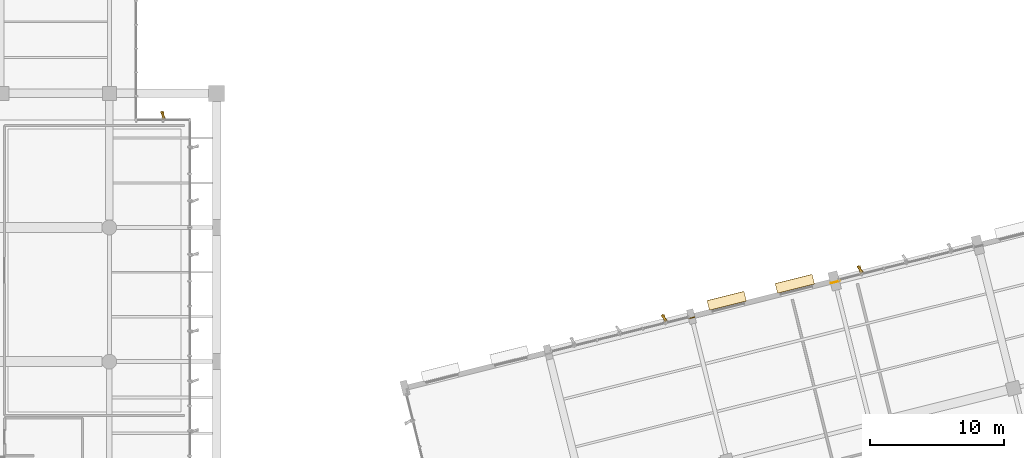
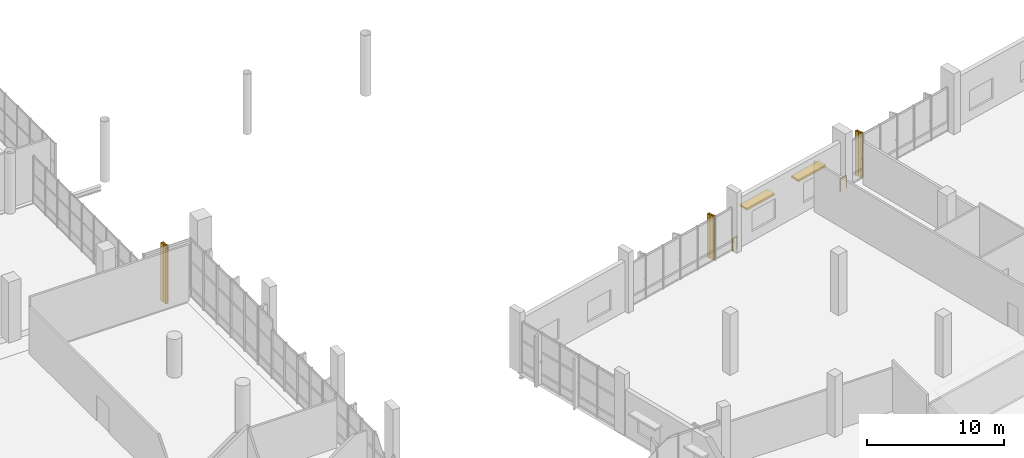
# One storey, part 172 of 176: 5 coverings, 5 shading devices, 2 railings.
"""IFC4 building model written with IfcOpenShell, lengths in metres."""

from ifc_helpers import new_model, si_unit, direction, frame, origin, origin_2d, place, context, subcontext, project, spatial, rectangle, extrude, material, layer, layer_set, type_object, element, save


model = new_model("IFC4")

# Units and contexts
model_context = context("Model", 3, precision=1e-05, world=origin(), true_north=direction((0.0, 1.0)))
body_context = subcontext(model_context, "Body", "Model", "MODEL_VIEW")
ifc_project = project(units=[si_unit("LENGTHUNIT", "METRE"), si_unit("AREAUNIT", "SQUARE_METRE"), si_unit("VOLUMEUNIT", "CUBIC_METRE"), si_unit("PLANEANGLEUNIT", "RADIAN"), si_unit("MASSUNIT", "GRAM", prefix="KILO")], contexts=[model_context])

# Site, building, storey
site_placement = place(None, origin())
site = spatial("IfcSite", under=ifc_project, at=site_placement, CompositionType="ELEMENT")
building_placement = place(site_placement, origin())
building = spatial("IfcBuilding", under=site, at=building_placement, Name="Khorjan Park Terminus", CompositionType="ELEMENT")
storey_placement = place(building_placement, frame((0.0, 0.0, 6.0)))
storey = spatial("IfcBuildingStorey", under=building, at=storey_placement, Name="L01", CompositionType="ELEMENT", Elevation=6.0)

# Coverings
ifc_material_1 = material(Name="Pigmented Precast GRC", Category="concrete")
ifc_layer_1 = layer(ifc_material_1, 0.16)
ifc_layer_set_1 = layer_set([ifc_layer_1], Name="Pigmented Precast GRC")
covering_type_1 = type_object("IfcCoveringType", Name="CV-FIN-GRC", PredefinedType="CLADDING", material=ifc_layer_set_1)
covering_1_placement = place(storey_placement, frame((132.0, 86.355, -0.02), z_axis=(0.0, 0.0, 1.0), x_axis=(0.0, -1.0, 0.0)))
element("IfcCovering", 1, at=covering_1_placement, inside=storey, type_object=covering_type_1, Name="Projecting desert-sandstone GRC facade fin CL-FN1 (CW-V2-N-L01-08-1)", PredefinedType="CLADDING", context=body_context, shape_type="SweptSolid", body=[
    extrude(rectangle(XDim=0.58, YDim=0.16, at=origin_2d()), origin(), (0.0, 0.0, 1.0), 5.19),
])
covering_2_placement = place(storey_placement, frame((183.9594, 74.8642, -0.02), z_axis=(0.0, 0.0, 1.0), x_axis=(0.2419218956, -0.970295726276, 0.0)))
element("IfcCovering", 2, at=covering_2_placement, inside=storey, type_object=covering_type_1, Name="Projecting desert-sandstone GRC facade fin CL-FN1 (CW-V5-N-L01-B03-5)", PredefinedType="CLADDING", context=body_context, shape_type="SweptSolid", body=[
    extrude(rectangle(XDim=0.58, YDim=0.16, at=origin_2d()), origin(), (0.0, 0.0, 1.0), 3.975),
])
covering_3_placement = place(storey_placement, frame((169.3664, 71.2257, -0.02), z_axis=(0.0, 0.0, 1.0), x_axis=(0.2419218956, -0.970295726276, 0.0)))
element("IfcCovering", 3, at=covering_3_placement, inside=storey, type_object=covering_type_1, Name="Projecting desert-sandstone GRC facade fin CL-FN1 (CW-V5-N-L01-B05-1)", PredefinedType="CLADDING", context=body_context, shape_type="SweptSolid", body=[
    extrude(rectangle(XDim=0.58, YDim=0.16, at=origin_2d()), origin(), (0.0, 0.0, 1.0), 3.895),
])
ifc_layer_2 = layer(ifc_material_1, 0.18)
ifc_layer_set_2 = layer_set([ifc_layer_2], Name="Pigmented Precast GRC")
covering_type_2 = type_object("IfcCoveringType", Name="CV-HOOD-GRC", PredefinedType="CLADDING", material=ifc_layer_set_2)
for number, where, z_axis, x_axis, name in (
    (4, (179.0856, 73.8035, 2.73), (0.0, 0.0, 1.0), (-0.970297370004, -0.241915302872, 0.0), "Projecting desert-sandstone GRC window eyebrow CL-HD1 (EW-V5-N-L01-B04-1)"),
    (5, (174.0062, 72.5371, 2.73), (0.0, 0.0, 1.0), (-0.970297370004, -0.241915302872, 0.0), "Projecting desert-sandstone GRC window eyebrow CL-HD1 (EW-V5-N-L01-B04-2)"),
):
    element("IfcCovering", number, at=place(storey_placement, frame(where, z_axis=z_axis, x_axis=x_axis)), inside=storey, type_object=covering_type_2, Name=name, PredefinedType="CLADDING", context=body_context, shape_type="SweptSolid", body=[
        extrude(rectangle(XDim=2.84, YDim=0.74, at=origin_2d()), origin(), (0.0, 0.0, 1.0), 0.16),
    ])

# Railings
ifc_material_2 = material(Name="Steel S355", Category="steel")
railing_type = type_object("IfcRailingType", Name="GR-112", PredefinedType="GUARDRAIL", material=ifc_material_2)
railing_1_placement = place(storey_placement, frame((171.1811, 71.2092, 0.0)))
element("IfcRailing", 6, at=railing_1_placement, inside=storey, type_object=railing_type, Name="Perimeter safety guard GR-112 (L01-27)", PredefinedType="GUARDRAIL", context=body_context, shape_type="SweptSolid", body=[
    extrude(rectangle(XDim=0.048, YDim=0.048, at=origin_2d()), frame((0.0, 0.0, 1.096), z_axis=(0.970261370606, 0.24205964701, 0.0), x_axis=(-0.24205964701, 0.970261370606, 0.0)), (0.0, 0.0, 1.0), 0.4449),
    extrude(rectangle(XDim=0.042, YDim=0.042, at=origin_2d()), origin(), (0.0, 0.0, 1.0), 1.072),
    extrude(rectangle(XDim=0.042, YDim=0.042, at=origin_2d()), frame((0.4317, 0.1077, 0.0)), (0.0, 0.0, 1.0), 1.072),
])
railing_2_placement = place(storey_placement, frame((181.7716, 73.8497, 0.0)))
element("IfcRailing", 7, at=railing_2_placement, inside=storey, type_object=railing_type, Name="Perimeter safety guard GR-112 (L01-29)", PredefinedType="GUARDRAIL", context=body_context, shape_type="SweptSolid", body=[
    extrude(rectangle(XDim=0.048, YDim=0.048, at=origin_2d()), frame((0.0, 0.0, 1.096), z_axis=(0.970270049618, 0.242024855777, 0.0), x_axis=(-0.242024855777, 0.970270049618, 0.0)), (0.0, 0.0, 1.0), 0.645),
    extrude(rectangle(XDim=0.042, YDim=0.042, at=origin_2d()), origin(), (0.0, 0.0, 1.0), 1.072),
    extrude(rectangle(XDim=0.042, YDim=0.042, at=origin_2d()), frame((0.6258, 0.1561, 0.0)), (0.0, 0.0, 1.0), 1.072),
])

# Shading devices
ifc_material_3 = material(Name="Anodized Bronze Aluminium", Category="aluminium")
shading_device_type_1 = type_object("IfcShadingDeviceType", Name="SD-FIN-620", PredefinedType="JALOUSIE", material=ifc_material_3)
shading_device_1_placement = place(storey_placement, frame((132.0, 86.355, -0.02), z_axis=(0.0, 0.0, 1.0), x_axis=(0.374606593416, -0.927183854567, 0.0)))
element("IfcShadingDevice", 8, at=shading_device_1_placement, inside=storey, type_object=shading_device_type_1, Name="Angled solar brise-soleil fin SF-62 (CW-V2-N-L01-08-1)", PredefinedType="JALOUSIE", context=body_context, shape_type="SweptSolid", body=[
    extrude(rectangle(XDim=0.62, YDim=0.14, at=origin_2d()), origin(), (0.0, 0.0, 1.0), 5.19),
])
shading_device_2_placement = place(storey_placement, frame((183.9594, 74.8642, -0.02), z_axis=(0.0, 0.0, 1.0), x_axis=(0.587785252292, -0.809016994375, 0.0)))
element("IfcShadingDevice", 9, at=shading_device_2_placement, inside=storey, type_object=shading_device_type_1, Name="Angled solar brise-soleil fin SF-62 (CW-V5-N-L01-B03-5)", PredefinedType="JALOUSIE", context=body_context, shape_type="SweptSolid", body=[
    extrude(rectangle(XDim=0.62, YDim=0.14, at=origin_2d()), origin(), (0.0, 0.0, 1.0), 3.975),
])
shading_device_3_placement = place(storey_placement, frame((169.3664, 71.2257, -0.02), z_axis=(0.0, 0.0, 1.0), x_axis=(0.587785252292, -0.809016994375, 0.0)))
element("IfcShadingDevice", 10, at=shading_device_3_placement, inside=storey, type_object=shading_device_type_1, Name="Angled solar brise-soleil fin SF-62 (CW-V5-N-L01-B05-1)", PredefinedType="JALOUSIE", context=body_context, shape_type="SweptSolid", body=[
    extrude(rectangle(XDim=0.62, YDim=0.14, at=origin_2d()), origin(), (0.0, 0.0, 1.0), 3.895),
])
shading_device_type_2 = type_object("IfcShadingDeviceType", Name="SD-SUN-750", PredefinedType="SHUTTER", material=ifc_material_3)
for number, where, z_axis, x_axis, name in (
    (11, (179.0856, 73.8035, 2.66), (0.0, 0.0, 1.0), (-0.970297370004, -0.241915302872, 0.0), "Projecting solar overhang hood SH-75 (EW-V5-N-L01-B04-1)"),
    (12, (174.0062, 72.5371, 2.66), (0.0, 0.0, 1.0), (-0.970297370004, -0.241915302872, 0.0), "Projecting solar overhang hood SH-75 (EW-V5-N-L01-B04-2)"),
):
    element("IfcShadingDevice", number, at=place(storey_placement, frame(where, z_axis=z_axis, x_axis=x_axis)), inside=storey, type_object=shading_device_type_2, Name=name, PredefinedType="SHUTTER", context=body_context, shape_type="SweptSolid", body=[
        extrude(rectangle(XDim=2.76, YDim=0.76, at=origin_2d()), origin(), (0.0, 0.0, 1.0), 0.14),
    ])

save(model, "model.ifc")
